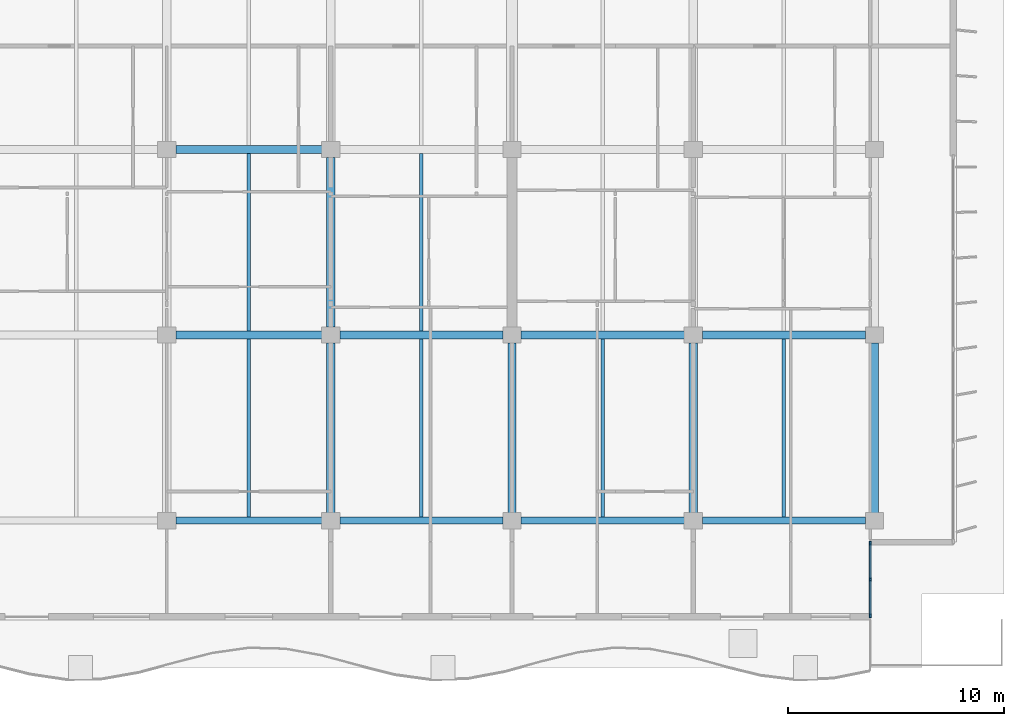
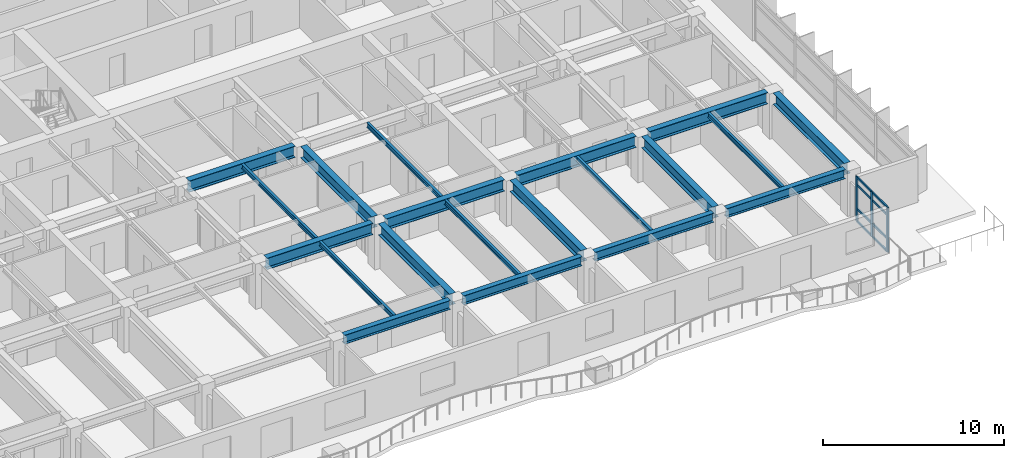
# One storey, part 3 of 17: 20 beams, 11 members, 1 element without a shape of its own.
"""IFC4 building model written with IfcOpenShell, lengths in metres."""

from ifc_helpers import new_model, si_unit, direction, frame, origin, origin_2d, place, context, subcontext, project, spatial, rectangle, i_section, extrude, material, layer, layer_set, material_profile, profile_set, type_object, element, aggregate, save


model = new_model("IFC4")

# Units and contexts
model_context = context("Model", 3, precision=1e-05, world=origin(), true_north=direction((0.0, 1.0)))
body_context = subcontext(model_context, "Body", "Model", "MODEL_VIEW")
ifc_project = project(units=[si_unit("LENGTHUNIT", "METRE"), si_unit("AREAUNIT", "SQUARE_METRE"), si_unit("VOLUMEUNIT", "CUBIC_METRE"), si_unit("PLANEANGLEUNIT", "RADIAN"), si_unit("MASSUNIT", "GRAM", prefix="KILO")], contexts=[model_context])

# Site, building, storey
site_placement = place(None, origin())
site = spatial("IfcSite", under=ifc_project, at=site_placement, CompositionType="ELEMENT")
building_placement = place(site_placement, origin())
building = spatial("IfcBuilding", under=site, at=building_placement, Name="Caelmar Bay Residences", CompositionType="ELEMENT")
storey_placement = place(building_placement, frame((0.0, 0.0, 157.199951171875)))
storey = spatial("IfcBuildingStorey", under=building, at=storey_placement, Name="L43", CompositionType="ELEMENT", Elevation=157.199951171875)

# Beams
ifc_material_1 = material(Name="Steel ASTM A992 Grade 50", Category="steel")
ifc_material_profile_1 = material_profile(ifc_material_1, i_section(OverallWidth=0.381103515625, OverallDepth=0.77197265625, WebThickness=0.0166015625, FlangeThickness=0.027099609375, FilletRadius=0.0166015625, at=origin_2d()), Name="W30X173")
ifc_profile_set_1 = profile_set([ifc_material_profile_1], Name="Steel ASTM A992 Grade 50")
beam_type_1 = type_object("IfcBeamType", Name="BM-GRD-W30X173", PredefinedType="BEAM", material=ifc_profile_set_1)
beam_1_placement = place(storey_placement, frame((35.514892578125, 20.800048828125, 2.6640625), z_axis=(1.0, 0.0, 0.0), x_axis=(0.0, 1.0, 0.0)))
element("IfcBeam", 1, at=beam_1_placement, inside=storey, type_object=beam_type_1, Name="L43 East-West Girder Y=20.80 (35.1-42.7)", PredefinedType="BEAM", context=body_context, shape_type="SweptSolid", body=[
    extrude(i_section(OverallWidth=0.381103515625, OverallDepth=0.77197265625, WebThickness=0.0166015625, FlangeThickness=0.027099609375, FilletRadius=0.0166015625, at=origin_2d()), origin(), (0.0, 0.0, 1.0), 6.77001953125),
])
for number, where, z_axis, x_axis, name in (
    (2, (43.114990234375, 20.800048828125, 2.6640625), (1.0, 0.0, 0.0), (0.0, 1.0, 0.0), "L43 East-West Girder Y=20.80 (42.7-51.1)"),
    (3, (51.514892578125, 20.800048828125, 2.6640625), (1.0, 0.0, 0.0), (0.0, 1.0, 0.0), "L43 East-West Girder Y=20.80 (51.1-59.5)"),
    (4, (59.9150390625, 20.800048828125, 2.6640625), (1.0, 0.0, 0.0), (0.0, 1.0, 0.0), "L43 East-West Girder Y=20.80 (59.5-67.9)"),
):
    element("IfcBeam", number, at=place(storey_placement, frame(where, z_axis=z_axis, x_axis=x_axis)), inside=storey, type_object=beam_type_1, Name=name, PredefinedType="BEAM", context=body_context, shape_type="SweptSolid", body=[
        extrude(i_section(OverallWidth=0.381103515625, OverallDepth=0.77197265625, WebThickness=0.0166015625, FlangeThickness=0.027099609375, FilletRadius=0.0166015625, at=origin_2d()), origin(), (0.0, 0.0, 1.0), 7.570068359375),
    ])
beam_2_placement = place(storey_placement, frame((35.514892578125, 29.39990234375, 2.6640625), z_axis=(1.0, 0.0, 0.0), x_axis=(0.0, 1.0, 0.0)))
element("IfcBeam", 5, at=beam_2_placement, inside=storey, type_object=beam_type_1, Name="L43 East-West Girder Y=29.40 (35.1-42.7)", PredefinedType="BEAM", context=body_context, shape_type="SweptSolid", body=[
    extrude(i_section(OverallWidth=0.381103515625, OverallDepth=0.77197265625, WebThickness=0.0166015625, FlangeThickness=0.027099609375, FilletRadius=0.0166015625, at=origin_2d()), origin(), (0.0, 0.0, 1.0), 6.77001953125),
])
beam_3_placement = place(storey_placement, frame((42.699951171875, 12.56494140625, 2.6640625), z_axis=(0.0, 1.0, 0.0), x_axis=(-1.0, 0.0, 0.0)))
element("IfcBeam", 6, at=beam_3_placement, inside=storey, type_object=beam_type_1, Name="L43 North-South Girder X=42.70 (12.2-20.8)", PredefinedType="BEAM", context=body_context, shape_type="SweptSolid", body=[
    extrude(i_section(OverallWidth=0.381103515625, OverallDepth=0.77197265625, WebThickness=0.0166015625, FlangeThickness=0.027099609375, FilletRadius=0.0166015625, at=origin_2d()), origin(), (0.0, 0.0, 1.0), 7.8701171875),
])
beam_4_placement = place(storey_placement, frame((42.699951171875, 21.1650390625, 2.6640625), z_axis=(0.0, 1.0, 0.0), x_axis=(-1.0, 0.0, 0.0)))
element("IfcBeam", 7, at=beam_4_placement, inside=storey, type_object=beam_type_1, Name="L43 North-South Girder X=42.70 (20.8-29.4)", PredefinedType="BEAM", context=body_context, shape_type="SweptSolid", body=[
    extrude(i_section(OverallWidth=0.381103515625, OverallDepth=0.77197265625, WebThickness=0.0166015625, FlangeThickness=0.027099609375, FilletRadius=0.0166015625, at=origin_2d()), origin(), (0.0, 0.0, 1.0), 7.869873046875),
])
for number, where, z_axis, x_axis, name in (
    (8, (51.10009765625, 12.56494140625, 2.6640625), (0.0, 1.0, 0.0), (-1.0, 0.0, 0.0), "L43 North-South Girder X=51.10 (12.2-20.8)"),
    (9, (59.5, 12.56494140625, 2.6640625), (0.0, 1.0, 0.0), (-1.0, 0.0, 0.0), "L43 North-South Girder X=59.50 (12.2-20.8)"),
    (10, (67.89990234375, 12.56494140625, 2.6640625), (0.0, 1.0, 0.0), (-1.0, 0.0, 0.0), "L43 North-South Girder X=67.90 (12.2-20.8)"),
):
    element("IfcBeam", number, at=place(storey_placement, frame(where, z_axis=z_axis, x_axis=x_axis)), inside=storey, type_object=beam_type_1, Name=name, PredefinedType="BEAM", context=body_context, shape_type="SweptSolid", body=[
        extrude(i_section(OverallWidth=0.381103515625, OverallDepth=0.77197265625, WebThickness=0.0166015625, FlangeThickness=0.027099609375, FilletRadius=0.0166015625, at=origin_2d()), origin(), (0.0, 0.0, 1.0), 7.8701171875),
    ])
ifc_material_profile_2 = material_profile(ifc_material_1, i_section(OverallWidth=0.1650390625, OverallDepth=0.31005859375, WebThickness=0.005859375, FlangeThickness=0.009765625, FilletRadius=0.007568359375, at=origin_2d()), Name="W12X26")
ifc_profile_set_2 = profile_set([ifc_material_profile_2], Name="Steel ASTM A992 Grade 50")
beam_type_2 = type_object("IfcBeamType", Name="BM-JST-W12X26", PredefinedType="JOIST", material=ifc_profile_set_2)
for number, where, z_axis, x_axis, name in (
    (11, (38.89990234375, 12.362548828125, 2.89501953125), (0.0, 1.0, 0.0), (-1.0, 0.0, 0.0), "L43 Composite Floor Joist 4"),
    (12, (46.89990234375, 12.362548828125, 2.89501953125), (0.0, 1.0, 0.0), (-1.0, 0.0, 0.0), "L43 Composite Floor Joist 5"),
    (13, (55.300048828125, 12.362548828125, 2.89501953125), (0.0, 1.0, 0.0), (-1.0, 0.0, 0.0), "L43 Composite Floor Joist 6"),
    (14, (63.699951171875, 12.362548828125, 2.89501953125), (0.0, 1.0, 0.0), (-1.0, 0.0, 0.0), "L43 Composite Floor Joist 7"),
):
    element("IfcBeam", number, at=place(storey_placement, frame(where, z_axis=z_axis, x_axis=x_axis)), inside=storey, type_object=beam_type_2, Name=name, PredefinedType="JOIST", context=body_context, shape_type="SweptSolid", body=[
        extrude(i_section(OverallWidth=0.1650390625, OverallDepth=0.31005859375, WebThickness=0.005859375, FlangeThickness=0.009765625, FilletRadius=0.007568359375, at=origin_2d()), origin(), (0.0, 0.0, 1.0), 8.2470703125),
    ])
for number, where, z_axis, x_axis, name in (
    (15, (38.89990234375, 20.990478515625, 2.89501953125), (0.0, 1.0, 0.0), (-1.0, 0.0, 0.0), "L43 Composite Floor Joist 11"),
    (16, (46.89990234375, 20.990478515625, 2.89501953125), (0.0, 1.0, 0.0), (-1.0, 0.0, 0.0), "L43 Composite Floor Joist 12"),
):
    element("IfcBeam", number, at=place(storey_placement, frame(where, z_axis=z_axis, x_axis=x_axis)), inside=storey, type_object=beam_type_2, Name=name, PredefinedType="JOIST", context=body_context, shape_type="SweptSolid", body=[
        extrude(i_section(OverallWidth=0.1650390625, OverallDepth=0.31005859375, WebThickness=0.005859375, FlangeThickness=0.009765625, FilletRadius=0.007568359375, at=origin_2d()), origin(), (0.0, 0.0, 1.0), 8.218994140625),
    ])
ifc_material_profile_3 = material_profile(ifc_material_1, i_section(OverallWidth=0.324951171875, OverallDepth=0.616943359375, WebThickness=0.013916015625, FlangeThickness=0.021484375, FilletRadius=0.0126953125, at=origin_2d()), Name="W24X117")
ifc_profile_set_3 = profile_set([ifc_material_profile_3], Name="Steel ASTM A992 Grade 50")
beam_type_3 = type_object("IfcBeamType", Name="BM-SPN-W24X117", PredefinedType="SPANDREL", material=ifc_profile_set_3)
beam_5_placement = place(storey_placement, frame((35.514892578125, 12.199951171875, 2.741455078125), z_axis=(1.0, 0.0, 0.0), x_axis=(0.0, 1.0, 0.0)))
element("IfcBeam", 17, at=beam_5_placement, inside=storey, type_object=beam_type_3, Name="L43 East-West Girder Y=12.20 (35.1-42.7)", PredefinedType="SPANDREL", context=body_context, shape_type="SweptSolid", body=[
    extrude(i_section(OverallWidth=0.324951171875, OverallDepth=0.616943359375, WebThickness=0.013916015625, FlangeThickness=0.021484375, FilletRadius=0.0126953125, at=origin_2d()), origin(), (0.0, 0.0, 1.0), 6.77001953125),
])
for number, where, z_axis, x_axis, name in (
    (18, (43.114990234375, 12.199951171875, 2.741455078125), (1.0, 0.0, 0.0), (0.0, 1.0, 0.0), "L43 East-West Girder Y=12.20 (42.7-51.1)"),
    (19, (51.514892578125, 12.199951171875, 2.741455078125), (1.0, 0.0, 0.0), (0.0, 1.0, 0.0), "L43 East-West Girder Y=12.20 (51.1-59.5)"),
    (20, (59.9150390625, 12.199951171875, 2.741455078125), (1.0, 0.0, 0.0), (0.0, 1.0, 0.0), "L43 East-West Girder Y=12.20 (59.5-67.9)"),
):
    element("IfcBeam", number, at=place(storey_placement, frame(where, z_axis=z_axis, x_axis=x_axis)), inside=storey, type_object=beam_type_3, Name=name, PredefinedType="SPANDREL", context=body_context, shape_type="SweptSolid", body=[
        extrude(i_section(OverallWidth=0.324951171875, OverallDepth=0.616943359375, WebThickness=0.013916015625, FlangeThickness=0.021484375, FilletRadius=0.0126953125, at=origin_2d()), origin(), (0.0, 0.0, 1.0), 7.570068359375),
    ])

# Curtain wall, members
ifc_material_2 = material(Name="Anodised bronze aluminium 6063-T6 and laminated glass", Category="aluminium")
ifc_layer = layer(ifc_material_2, 0.179931640625)
ifc_layer_set = layer_set([ifc_layer], Name="Anodised bronze aluminium 6063-T6 and laminated glass")
curtain_wall_type = type_object("IfcCurtainWallType", Name="CW6-NTC", PredefinedType="NOTDEFINED", material=ifc_layer_set)
curtain_wall_placement = place(storey_placement, origin())
curtain_wall = element("IfcCurtainWall", 21, at=curtain_wall_placement, inside=storey, type_object=curtain_wall_type, Name="CW6 curtain wall L43", PredefinedType="NOTDEFINED")
ifc_material_3 = material(Name="Anodised bronze aluminium 6063-T6", Category="aluminium")
ifc_material_profile_4 = material_profile(ifc_material_3, rectangle(XDim=0.080078125, YDim=0.179931640625, at=origin_2d()), Name="CWM-80X180")
ifc_profile_set_4 = profile_set([ifc_material_profile_4], Name="Anodised bronze aluminium 6063-T6")
member_type_1 = type_object("IfcMemberType", Name="CWM-180", PredefinedType="MULLION", material=ifc_profile_set_4)
member_1_placement = place(storey_placement, frame((67.699951171875, 7.7900390625, 0.0), z_axis=(0.0, 0.0, 1.0), x_axis=(-1.0, 0.0, 0.0)))
member_1 = element("IfcMember", 22, at=member_1_placement, type_object=member_type_1, Name="CW6 mullion 1", PredefinedType="MULLION", context=body_context, shape_type="SweptSolid", body=[
    extrude(rectangle(XDim=0.080078125, YDim=0.179931640625, at=origin_2d()), origin(), (0.0, 0.0, 1.0), 3.050048828125),
])
member_2_placement = place(storey_placement, frame((67.699951171875, 9.47509765625, 0.0), z_axis=(0.0, 0.0, 1.0), x_axis=(-1.0, 0.0, 0.0)))
member_2 = element("IfcMember", 23, at=member_2_placement, type_object=member_type_1, Name="CW6 mullion 2", PredefinedType="MULLION", context=body_context, shape_type="SweptSolid", body=[
    extrude(rectangle(XDim=0.080078125, YDim=0.179931640625, at=origin_2d()), origin(), (0.0, 0.0, 1.0), 3.050048828125),
])
member_3_placement = place(storey_placement, frame((67.699951171875, 11.159912109375, 0.0), z_axis=(0.0, 0.0, 1.0), x_axis=(-1.0, 0.0, 0.0)))
member_3 = element("IfcMember", 24, at=member_3_placement, type_object=member_type_1, Name="CW6 mullion 3", PredefinedType="MULLION", context=body_context, shape_type="SweptSolid", body=[
    extrude(rectangle(XDim=0.080078125, YDim=0.179931640625, at=origin_2d()), origin(), (0.0, 0.0, 1.0), 3.050048828125),
])
ifc_material_profile_5 = material_profile(ifc_material_3, rectangle(XDim=0.080078125, YDim=0.139892578125, at=origin_2d()), Name="CWT-80X140")
ifc_profile_set_5 = profile_set([ifc_material_profile_5], Name="Anodised bronze aluminium 6063-T6")
member_type_2 = type_object("IfcMemberType", Name="CWT-140", PredefinedType="NOTDEFINED", material=ifc_profile_set_5)
member_4_placement = place(storey_placement, frame((67.699951171875, 7.830078125, 0.0400390625), z_axis=(0.0, 1.0, 0.0), x_axis=(-1.0, 0.0, 0.0)))
member_4 = element("IfcMember", 25, at=member_4_placement, type_object=member_type_2, Name="CW6 transom 1.1", ObjectType="TRANSOM", PredefinedType="USERDEFINED", context=body_context, shape_type="SweptSolid", body=[
    extrude(rectangle(XDim=0.080078125, YDim=0.139892578125, at=origin_2d()), origin(), (0.0, 0.0, 1.0), 1.60498046875),
])
member_5_placement = place(storey_placement, frame((67.699951171875, 7.830078125, 0.900146484375), z_axis=(0.0, 1.0, 0.0), x_axis=(-1.0, 0.0, 0.0)))
member_5 = element("IfcMember", 26, at=member_5_placement, type_object=member_type_2, Name="CW6 transom 1.2", ObjectType="TRANSOM", PredefinedType="USERDEFINED", context=body_context, shape_type="SweptSolid", body=[
    extrude(rectangle(XDim=0.080078125, YDim=0.139892578125, at=origin_2d()), origin(), (0.0, 0.0, 1.0), 1.60498046875),
])
member_6_placement = place(storey_placement, frame((67.699951171875, 7.830078125, 2.5), z_axis=(0.0, 1.0, 0.0), x_axis=(-1.0, 0.0, 0.0)))
member_6 = element("IfcMember", 27, at=member_6_placement, type_object=member_type_2, Name="CW6 transom 1.3", ObjectType="TRANSOM", PredefinedType="USERDEFINED", context=body_context, shape_type="SweptSolid", body=[
    extrude(rectangle(XDim=0.080078125, YDim=0.139892578125, at=origin_2d()), origin(), (0.0, 0.0, 1.0), 1.60498046875),
])
member_7_placement = place(storey_placement, frame((67.699951171875, 7.830078125, 3.010009765625), z_axis=(0.0, 1.0, 0.0), x_axis=(-1.0, 0.0, 0.0)))
member_7 = element("IfcMember", 28, at=member_7_placement, type_object=member_type_2, Name="CW6 transom 1.4", ObjectType="TRANSOM", PredefinedType="USERDEFINED", context=body_context, shape_type="SweptSolid", body=[
    extrude(rectangle(XDim=0.080078125, YDim=0.139892578125, at=origin_2d()), origin(), (0.0, 0.0, 1.0), 1.60498046875),
])
member_8_placement = place(storey_placement, frame((67.699951171875, 9.514892578125, 0.0400390625), z_axis=(0.0, 1.0, 0.0), x_axis=(-1.0, 0.0, 0.0)))
member_8 = element("IfcMember", 29, at=member_8_placement, type_object=member_type_2, Name="CW6 transom 2.1", ObjectType="TRANSOM", PredefinedType="USERDEFINED", context=body_context, shape_type="SweptSolid", body=[
    extrude(rectangle(XDim=0.080078125, YDim=0.139892578125, at=origin_2d()), origin(), (0.0, 0.0, 1.0), 1.605224609375),
])
member_9_placement = place(storey_placement, frame((67.699951171875, 9.514892578125, 0.900146484375), z_axis=(0.0, 1.0, 0.0), x_axis=(-1.0, 0.0, 0.0)))
member_9 = element("IfcMember", 30, at=member_9_placement, type_object=member_type_2, Name="CW6 transom 2.2", ObjectType="TRANSOM", PredefinedType="USERDEFINED", context=body_context, shape_type="SweptSolid", body=[
    extrude(rectangle(XDim=0.080078125, YDim=0.139892578125, at=origin_2d()), origin(), (0.0, 0.0, 1.0), 1.605224609375),
])
member_10_placement = place(storey_placement, frame((67.699951171875, 9.514892578125, 2.5), z_axis=(0.0, 1.0, 0.0), x_axis=(-1.0, 0.0, 0.0)))
member_10 = element("IfcMember", 31, at=member_10_placement, type_object=member_type_2, Name="CW6 transom 2.3", ObjectType="TRANSOM", PredefinedType="USERDEFINED", context=body_context, shape_type="SweptSolid", body=[
    extrude(rectangle(XDim=0.080078125, YDim=0.139892578125, at=origin_2d()), origin(), (0.0, 0.0, 1.0), 1.605224609375),
])
member_11_placement = place(storey_placement, frame((67.699951171875, 9.514892578125, 3.010009765625), z_axis=(0.0, 1.0, 0.0), x_axis=(-1.0, 0.0, 0.0)))
member_11 = element("IfcMember", 32, at=member_11_placement, type_object=member_type_2, Name="CW6 transom 2.4", ObjectType="TRANSOM", PredefinedType="USERDEFINED", context=body_context, shape_type="SweptSolid", body=[
    extrude(rectangle(XDim=0.080078125, YDim=0.139892578125, at=origin_2d()), origin(), (0.0, 0.0, 1.0), 1.605224609375),
])
aggregate(curtain_wall, [member_1, member_2, member_3, member_4, member_5, member_6, member_7, member_8, member_9, member_10, member_11])

save(model, "model.ifc")
